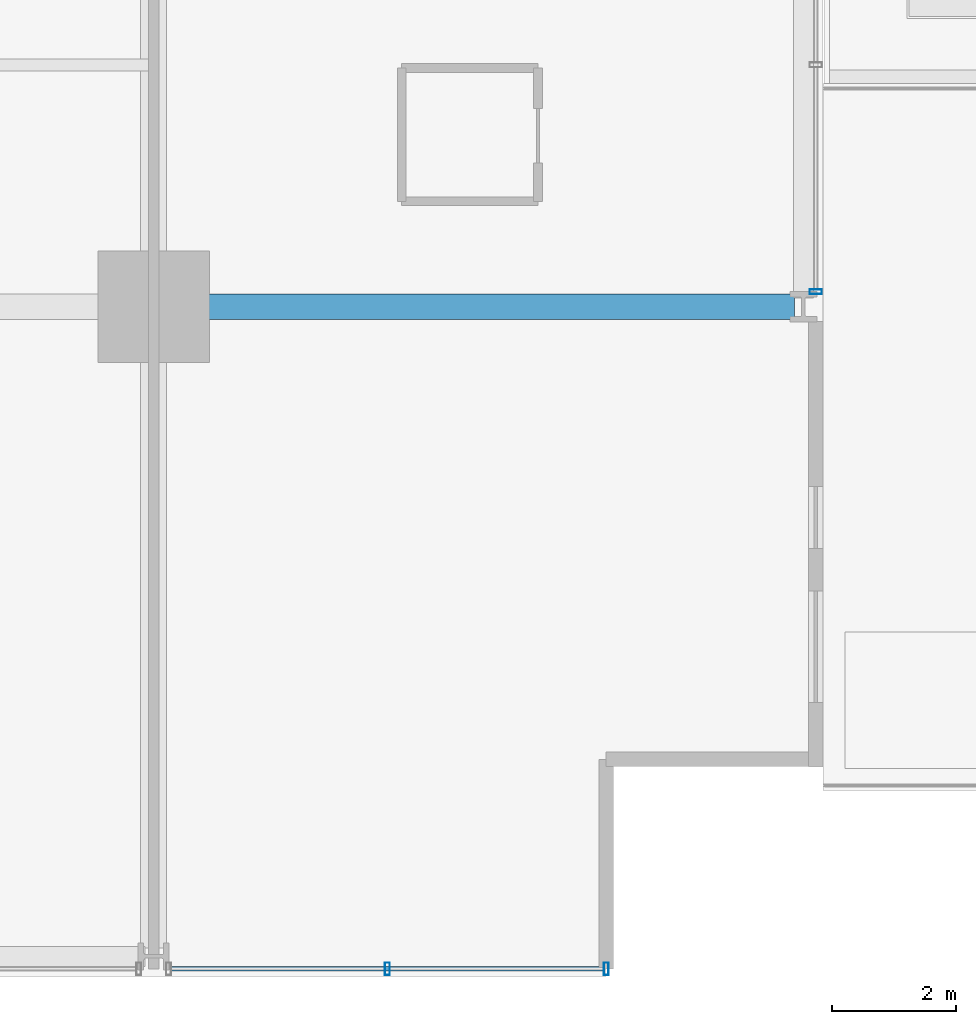
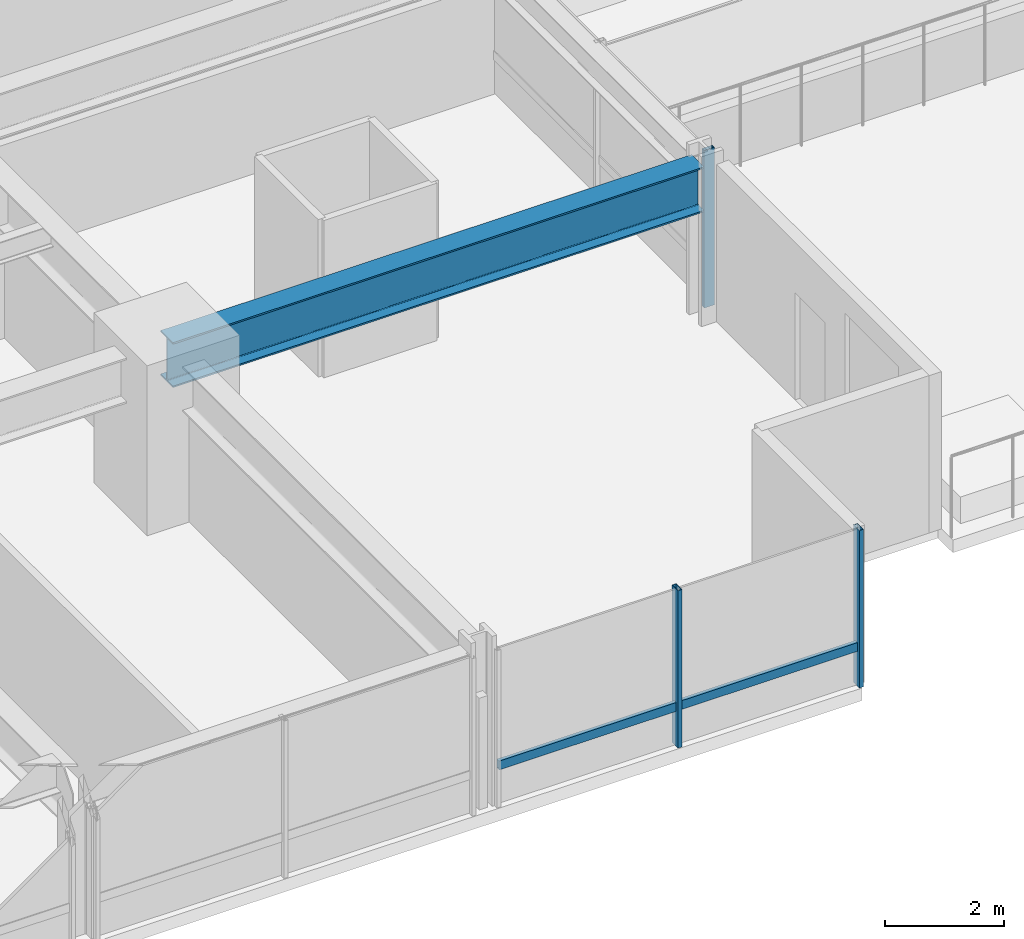
# One storey, part 13 of 42: 4 members, 1 beam, 2 elements without a shape of their own.
"""IFC4 building model written with IfcOpenShell, lengths in metres."""

from ifc_helpers import new_model, si_unit, direction, frame, origin, origin_2d, place, context, subcontext, project, spatial, hollow_rectangle, i_section, extrude, material, layer, layer_set, material_profile, profile_set, type_object, element, aggregate, save


model = new_model("IFC4")

# Units and contexts
model_context = context("Model", 3, precision=1e-05, world=origin(), true_north=direction((0.0, 1.0)))
body_context = subcontext(model_context, "Body", "Model", "MODEL_VIEW")
ifc_project = project(units=[si_unit("LENGTHUNIT", "METRE"), si_unit("AREAUNIT", "SQUARE_METRE"), si_unit("VOLUMEUNIT", "CUBIC_METRE"), si_unit("PLANEANGLEUNIT", "RADIAN"), si_unit("MASSUNIT", "GRAM", prefix="KILO")], contexts=[model_context])

# Site, building, storey
site_placement = place(None, origin())
site = spatial("IfcSite", under=ifc_project, at=site_placement, CompositionType="ELEMENT")
building_placement = place(site_placement, origin())
building = spatial("IfcBuilding", under=site, at=building_placement, Name="Drelvath Grand Hotel", CompositionType="ELEMENT")
storey_placement = place(building_placement, frame((0.0, 0.0, 33.199951171875)))
storey = spatial("IfcBuildingStorey", under=building, at=storey_placement, Name="L06", CompositionType="ELEMENT", Elevation=33.199951171875)

# Curtain wall, member
ifc_material_1 = material(Name="Warm Bronze Anodised Aluminium Frame", Category="aluminium")
ifc_layer = layer(ifc_material_1, 0.199951171875)
ifc_layer_set = layer_set([ifc_layer], Name="Warm Bronze Anodised Aluminium Frame")
curtain_wall_type = type_object("IfcCurtainWallType", Name="Stick Curtain Wall CW-02 Warm Bronze Low-Rise", PredefinedType="NOTDEFINED", material=ifc_layer_set)
curtain_wall_1_placement = place(storey_placement, origin())
curtain_wall_1 = element("IfcCurtainWall", 1, at=curtain_wall_1_placement, inside=storey, type_object=curtain_wall_type, Name="L06 CW-02 Curtain Wall CW02-L06-SE3", PredefinedType="NOTDEFINED")
ifc_material_profile_1 = material_profile(ifc_material_1, hollow_rectangle(XDim=0.074951171875, YDim=0.179931640625, WallThickness=0.0048828125, at=origin_2d()), Name="HSS180X75X5")
ifc_profile_set_1 = profile_set([ifc_material_profile_1], Name="Warm Bronze Anodised Aluminium Frame")
member_type_1 = type_object("IfcMemberType", Name="Curtain Wall Horizontal Transom CW-02 HSS180X75X5", PredefinedType="USERDEFINED", material=ifc_profile_set_1)
member_1_placement = place(storey_placement, frame((23.4599609375, 0.1201171875, 0.81005859375), z_axis=(-1.0, 0.0, 0.0), x_axis=(0.0, -1.0, 0.0)))
member_1 = element("IfcMember", 2, at=member_1_placement, type_object=member_type_1, Name="CW02-L06-SE3 Sill Transom", ObjectType="TRANSOM", PredefinedType="USERDEFINED", context=body_context, shape_type="SweptSolid", body=[
    extrude(hollow_rectangle(XDim=0.074951171875, YDim=0.179931640625, WallThickness=0.0048828125, at=origin_2d()), origin(), (0.0, 0.0, 1.0), 6.97900390625),
])

curtain_wall_2_placement = place(storey_placement, origin())
curtain_wall_2 = element("IfcCurtainWall", 3, at=curtain_wall_2_placement, inside=storey, type_object=curtain_wall_type, Name="L06 CW-02 Curtain Wall CW02-L06-ES2", PredefinedType="NOTDEFINED")
ifc_material_profile_2 = material_profile(ifc_material_1, hollow_rectangle(XDim=0.080078125, YDim=0.199951171875, WallThickness=0.0048828125, at=origin_2d()), Name="HSS200X80X5")
ifc_profile_set_2 = profile_set([ifc_material_profile_2], Name="Warm Bronze Anodised Aluminium Frame")
member_type_2 = type_object("IfcMemberType", Name="Curtain Wall Vertical Mullion CW-02 HSS200X80X5", PredefinedType="MULLION", material=ifc_profile_set_2)
member_2_placement = place(storey_placement, frame((26.8798828125, 11.041015625, 0.0), z_axis=(0.0, 0.0, 1.0), x_axis=(0.0, 1.0, 0.0)))
member_2 = element("IfcMember", 4, at=member_2_placement, type_object=member_type_2, Name="CW02-L06-ES2 Mullion 3", PredefinedType="MULLION", context=body_context, shape_type="SweptSolid", body=[
    extrude(hollow_rectangle(XDim=0.080078125, YDim=0.199951171875, WallThickness=0.0048828125, at=origin_2d()), origin(), (0.0, 0.0, 1.0), 3.239990234375),
])
aggregate(curtain_wall_2, [member_2])

# Member
member_3_placement = place(storey_placement, frame((23.5, 0.1201171875, 0.0), z_axis=(0.0, 0.0, 1.0), x_axis=(1.0, 0.0, 0.0)))
member_3 = element("IfcMember", 5, at=member_3_placement, type_object=member_type_2, Name="CW02-L06-SE3 Mullion 1", PredefinedType="MULLION", context=body_context, shape_type="SweptSolid", body=[
    extrude(hollow_rectangle(XDim=0.080078125, YDim=0.199951171875, WallThickness=0.0048828125, at=origin_2d()), origin(), (0.0, 0.0, 1.0), 3.239990234375),
])

member_4_placement = place(storey_placement, frame((19.970458984375, 0.1201171875, 0.0), z_axis=(0.0, 0.0, 1.0), x_axis=(1.0, 0.0, 0.0)))
member_4 = element("IfcMember", 6, at=member_4_placement, type_object=member_type_2, Name="CW02-L06-SE3 Mullion 2", PredefinedType="MULLION", context=body_context, shape_type="SweptSolid", body=[
    extrude(hollow_rectangle(XDim=0.080078125, YDim=0.199951171875, WallThickness=0.0048828125, at=origin_2d()), origin(), (0.0, 0.0, 1.0), 3.239990234375),
])

aggregate(curtain_wall_1, [member_3, member_4, member_1])

# Beam
ifc_material_2 = material(Name="Steel ASTM A992 Gr 50", Category="steel")
ifc_material_profile_3 = material_profile(ifc_material_2, i_section(OverallWidth=0.418212890625, OverallDepth=0.926513671875, WebThickness=0.019287109375, FlangeThickness=0.031982421875, FilletRadius=0.028076171875, at=origin_2d()), Name="W36X231")
ifc_profile_set_3 = profile_set([ifc_material_profile_3], Name="Steel ASTM A992 Gr 50")
beam_type = type_object("IfcBeamType", Name="Primary Floor Girder W36X231", PredefinedType="BEAM", material=ifc_profile_set_3)
beam_placement = place(storey_placement, frame((16.199951171875, 10.800048828125, 2.77685546875), z_axis=(1.0, 0.0, 0.0), x_axis=(0.0, 1.0, 0.0)))
element("IfcBeam", 7, at=beam_placement, inside=storey, type_object=beam_type, Name="L06 East Grid Girder C", PredefinedType="BEAM", context=body_context, shape_type="SweptSolid", body=[
    extrude(i_section(OverallWidth=0.418212890625, OverallDepth=0.926513671875, WebThickness=0.019287109375, FlangeThickness=0.031982421875, FilletRadius=0.028076171875, at=origin_2d()), origin(), (0.0, 0.0, 1.0), 10.340087890625),
])

save(model, "model.ifc")
